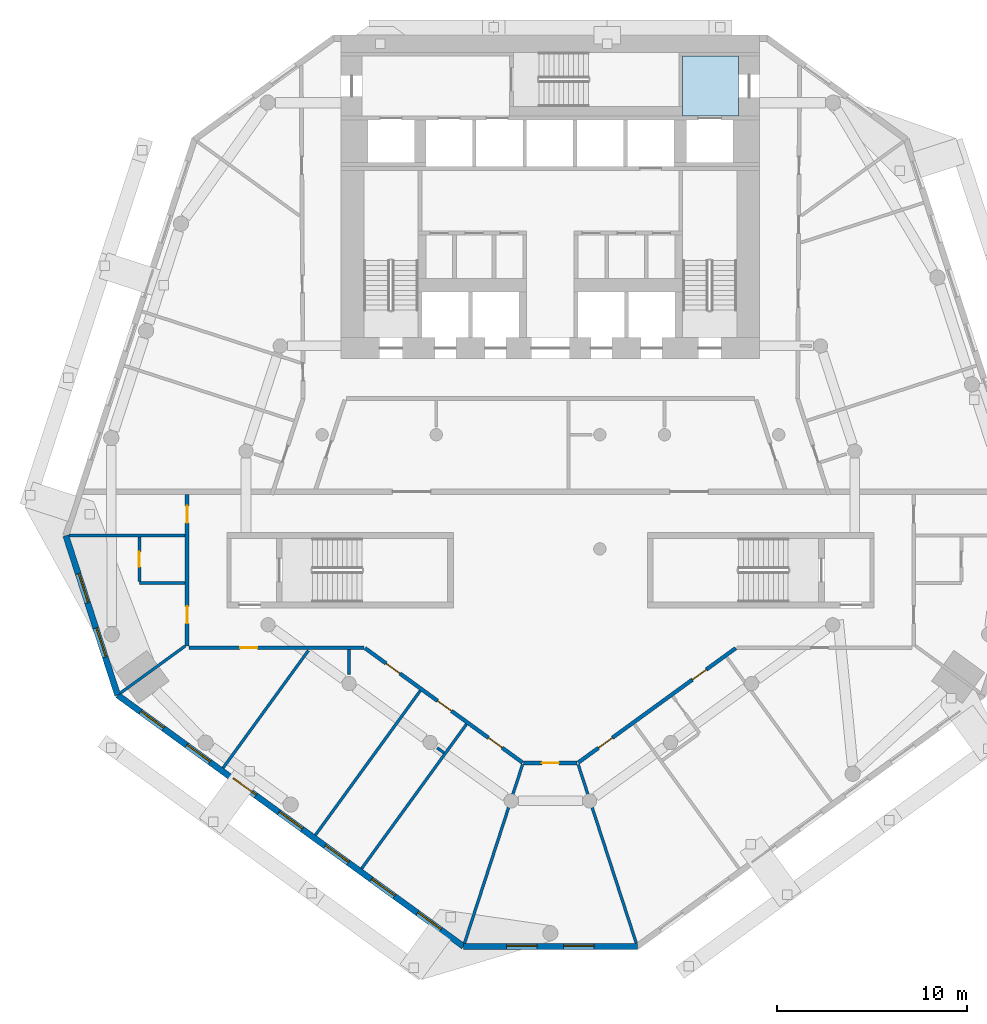
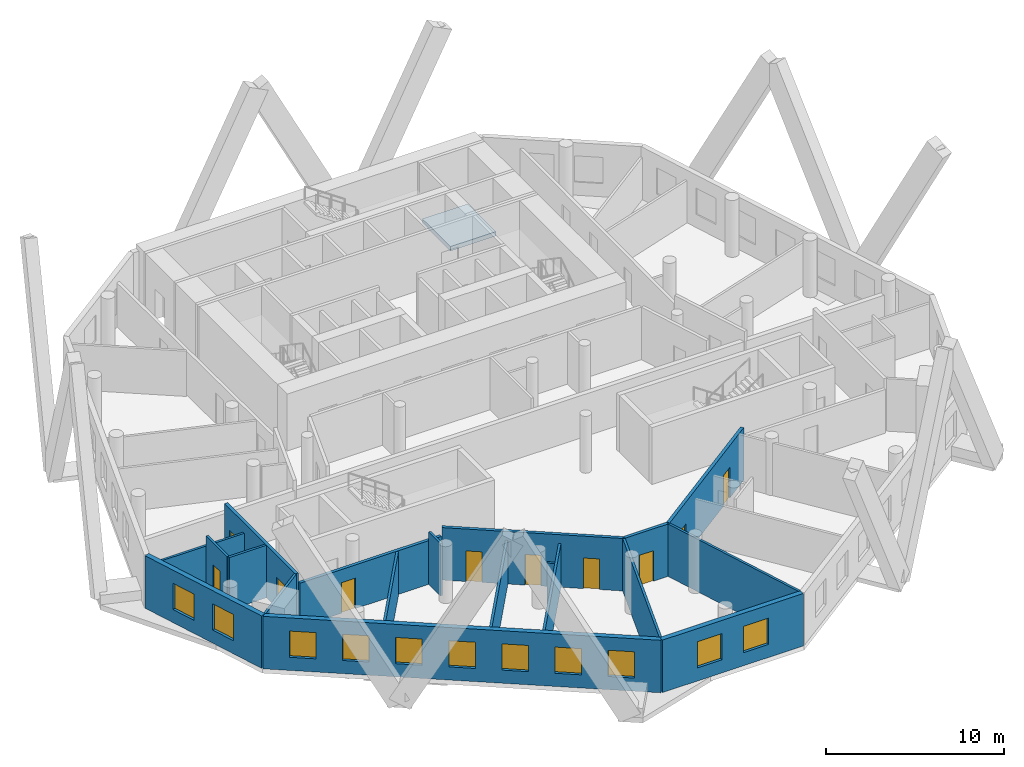
# One storey, part 3 of 10: 19 walls, 11 windows, 10 doors, 1 slab, 21 openings.
"""IFC4 building model written with IfcOpenShell, lengths in metres."""

from ifc_helpers import new_model, si_unit, direction, frame, frame_2d, origin, place, context, subcontext, project, spatial, polyline, rectangle, outline, extrude, material, layer, layer_set, type_object, element, fill, save


model = new_model("IFC4")

# Units and contexts
model_context = context("Model", 3, precision=1e-05, world=origin(), true_north=direction((0.0, 1.0)))
body_context = subcontext(model_context, "Body", "Model", "MODEL_VIEW")
ifc_project = project(units=[si_unit("LENGTHUNIT", "METRE"), si_unit("AREAUNIT", "SQUARE_METRE"), si_unit("VOLUMEUNIT", "CUBIC_METRE"), si_unit("PLANEANGLEUNIT", "RADIAN"), si_unit("MASSUNIT", "GRAM", prefix="KILO")], contexts=[model_context])

# Site, building, storey
site_placement = place(None, origin())
site = spatial("IfcSite", under=ifc_project, at=site_placement, CompositionType="ELEMENT")
building_placement = place(site_placement, origin())
building = spatial("IfcBuilding", under=site, at=building_placement, Name="White Candle Pilgrim Tower", CompositionType="ELEMENT")
storey_placement = place(building_placement, frame((0.0, 0.0, 125.89990234375)))
storey = spatial("IfcBuildingStorey", under=building, at=storey_placement, Name="L28", CompositionType="ELEMENT", Elevation=125.89990234375)

# Slab
ifc_material_1 = material(Name="Concrete C40/50", Category="concrete")
ifc_layer_1 = layer(ifc_material_1, 0.300048828125)
ifc_layer_set_1 = layer_set([ifc_layer_1], Name="Core floor slab 300 mm Concrete C40/50")
slab_type = type_object("IfcSlabType", Name="Core floor slab 300 mm Concrete C40/50", PredefinedType="FLOOR", material=ifc_layer_set_1)
slab_placement = place(storey_placement, frame((0.0, 0.0, -0.2998046875)))
element("IfcSlab", 1, at=slab_placement, inside=storey, type_object=slab_type, Name="CF-L28-06", PredefinedType="FLOOR", context=body_context, shape_type="SweptSolid", body=[
    extrude(outline(polyline([(79.89990234375, 86.89990234375), (79.89990234375, 83.75), (76.949951171875, 83.75), (76.949951171875, 84.25), (76.949951171875, 86.89990234375), (79.89990234375, 86.89990234375)])), origin(), (0.0, 0.0, 1.0), 0.2998046875),
])

# Wall, openings, doors
ifc_material_2 = material(Name="Gypsum board on steel studs", Category="steel")
ifc_layer_2 = layer(ifc_material_2, 0.199951171875)
ifc_layer_set_2 = layer_set([ifc_layer_2], Name="Corridor wall 200 mm EI 45")
wall_type_1 = type_object("IfcWallType", Name="Corridor wall 200 mm EI 45", PredefinedType="PARTITIONING", material=ifc_layer_set_2)
wall_1_placement = place(storey_placement, frame((79.7412109375, 55.781005859375, 0.0), z_axis=(0.0, 0.0, 1.0), x_axis=(-0.809014540142, -0.587788630239, 0.0)))
wall_1 = element("IfcWall", 2, at=wall_1_placement, inside=storey, type_object=wall_type_1, Name="WL-L28-P008", PredefinedType="PARTITIONING", context=body_context, shape_type="SweptSolid", body=[
    extrude(rectangle(XDim=10.2333984375, YDim=0.199951171875, at=frame_2d((5.11669921875, 0.0))), origin(), (0.0, 0.0, 1.0), 3.60009765625),
])
opening_1_placement = place(wall_1_placement, frame((8.014404296875, 0.0, 0.0)))
opening_1 = element("IfcOpeningElement", 3, at=opening_1_placement, cuts=wall_1, Name="Opening T09-108", PredefinedType="OPENING", context=body_context, shape_type="SweptSolid", body=[
    extrude(rectangle(XDim=0.89990234375, YDim=2.10009765625, at=frame_2d((0.449951171875, 1.050048828125))), frame((0.0, 0.10986328125, 0.0), z_axis=(0.0, -1.0, 0.0), x_axis=(1.0, 0.0, 0.0)), (0.0, 0.0, 1.0), 0.219970703125),
])
opening_2_placement = place(wall_1_placement, frame((1.91259765625, 0.0, 0.0)))
opening_2 = element("IfcOpeningElement", 4, at=opening_2_placement, cuts=wall_1, Name="Opening T09-110", PredefinedType="OPENING", context=body_context, shape_type="SweptSolid", body=[
    extrude(rectangle(XDim=0.89990234375, YDim=2.10009765625, at=frame_2d((0.449951171875, 1.050048828125))), frame((0.0, 0.10986328125, 0.0), z_axis=(0.0, -1.0, 0.0), x_axis=(1.0, 0.0, 0.0)), (0.0, 0.0, 1.0), 0.219970703125),
])
ifc_material_3 = material(Name="Steel door leaf", Category="steel")
door_type_1 = type_object("IfcDoorType", Name="Fire door 900 x 2100 EI 30", OperationType="NOTDEFINED", PredefinedType="DOOR", material=ifc_material_3)
door_1_placement = place(opening_1_placement, origin())
door_1 = element("IfcDoor", 5, at=door_1_placement, inside=storey, type_object=door_type_1, Name="Door T09-108", OperationType="SINGLE_SWING_RIGHT", OverallHeight=2.10009765625, OverallWidth=0.89990234375, PredefinedType="DOOR", context=body_context, shape_type="SweptSolid", body=[
    extrude(rectangle(XDim=0.89990234375, YDim=2.10009765625, at=frame_2d((0.449951171875, 1.050048828125))), frame((0.0, 0.02490234375, 0.0), z_axis=(0.0, -1.0, 0.0), x_axis=(1.0, 0.0, 0.0)), (0.0, 0.0, 1.0), 0.050048828125),
])
fill(opening_1, door_1)
door_2_placement = place(opening_2_placement, origin())
door_2 = element("IfcDoor", 6, at=door_2_placement, inside=storey, type_object=door_type_1, Name="Door T09-110", OperationType="SINGLE_SWING_RIGHT", OverallHeight=2.10009765625, OverallWidth=0.89990234375, PredefinedType="DOOR", context=body_context, shape_type="SweptSolid", body=[
    extrude(rectangle(XDim=0.89990234375, YDim=2.10009765625, at=frame_2d((0.449951171875, 1.050048828125))), frame((0.0, 0.02490234375, 0.0), z_axis=(0.0, -1.0, 0.0), x_axis=(1.0, 0.0, 0.0)), (0.0, 0.0, 1.0), 0.050048828125),
])
fill(opening_2, door_2)

# Wall, opening, door
wall_2_placement = place(storey_placement, frame((71.4033203125, 49.74658203125, 0.0), z_axis=(0.0, 0.0, 1.0), x_axis=(-1.0, 0.0, 0.0)))
wall_2 = element("IfcWall", 7, at=wall_2_placement, inside=storey, type_object=wall_type_1, Name="WL-L28-P009", PredefinedType="PARTITIONING", context=body_context, shape_type="SweptSolid", body=[
    extrude(rectangle(XDim=2.806640625, YDim=0.199951171875, at=frame_2d((1.4033203125, 0.0))), origin(), (0.0, 0.0, 1.0), 3.60009765625),
])
opening_3_placement = place(wall_2_placement, frame((0.953369140625, 0.0, 0.0)))
opening_3 = element("IfcOpeningElement", 8, at=opening_3_placement, cuts=wall_2, Name="Opening T09-107", PredefinedType="OPENING", context=body_context, shape_type="SweptSolid", body=[
    extrude(rectangle(XDim=0.89990234375, YDim=2.10009765625, at=frame_2d((0.449951171875, 1.050048828125))), frame((0.0, 0.10986328125, 0.0), z_axis=(0.0, -1.0, 0.0), x_axis=(1.0, 0.0, 0.0)), (0.0, 0.0, 1.0), 0.219970703125),
])
door_3_placement = place(opening_3_placement, origin())
door_3 = element("IfcDoor", 9, at=door_3_placement, inside=storey, type_object=door_type_1, Name="Door T09-107", OperationType="SINGLE_SWING_LEFT", OverallHeight=2.10009765625, OverallWidth=0.89990234375, PredefinedType="DOOR", context=body_context, shape_type="SweptSolid", body=[
    extrude(rectangle(XDim=0.89990234375, YDim=2.10009765625, at=frame_2d((0.449951171875, 1.050048828125))), frame((0.0, 0.02490234375, 0.0), z_axis=(0.0, -1.0, 0.0), x_axis=(1.0, 0.0, 0.0)), (0.0, 0.0, 1.0), 0.050048828125),
])
fill(opening_3, door_3)

# Wall, openings, doors
wall_3_placement = place(storey_placement, frame((68.537841796875, 49.765869140625, 0.0), z_axis=(0.0, 0.0, 1.0), x_axis=(-0.809014540142, 0.587788630239, 0.0)))
wall_3 = element("IfcWall", 10, at=wall_3_placement, inside=storey, type_object=wall_type_1, Name="WL-L28-P010", PredefinedType="PARTITIONING", context=body_context, shape_type="SweptSolid", body=[
    extrude(rectangle(XDim=10.2333984375, YDim=0.199951171875, at=frame_2d((5.11669921875, 0.0))), origin(), (0.0, 0.0, 1.0), 3.60009765625),
])
opening_4_placement = place(wall_3_placement, frame((7.968505859375, 0.0, 0.0)))
opening_4 = element("IfcOpeningElement", 11, at=opening_4_placement, cuts=wall_3, Name="Opening T09-104", PredefinedType="OPENING", context=body_context, shape_type="SweptSolid", body=[
    extrude(rectangle(XDim=0.89990234375, YDim=2.10009765625, at=frame_2d((0.449951171875, 1.050048828125))), frame((0.0, 0.10986328125, 0.0), z_axis=(0.0, -1.0, 0.0), x_axis=(1.0, 0.0, 0.0)), (0.0, 0.0, 1.0), 0.219970703125),
])
opening_5_placement = place(wall_3_placement, frame((4.620849609375, 0.0, 0.0)))
opening_5 = element("IfcOpeningElement", 12, at=opening_5_placement, cuts=wall_3, Name="Opening T09-105", PredefinedType="OPENING", context=body_context, shape_type="SweptSolid", body=[
    extrude(rectangle(XDim=0.89990234375, YDim=2.10009765625, at=frame_2d((0.449951171875, 1.050048828125))), frame((0.0, 0.10986328125, 0.0), z_axis=(0.0, -1.0, 0.0), x_axis=(1.0, 0.0, 0.0)), (0.0, 0.0, 1.0), 0.219970703125),
])
opening_6_placement = place(wall_3_placement, frame((1.319091796875, 0.0, 0.0)))
opening_6 = element("IfcOpeningElement", 13, at=opening_6_placement, cuts=wall_3, Name="Opening T09-106", PredefinedType="OPENING", context=body_context, shape_type="SweptSolid", body=[
    extrude(rectangle(XDim=0.89990234375, YDim=2.10009765625, at=frame_2d((0.449951171875, 1.050048828125))), frame((0.0, 0.10986328125, 0.0), z_axis=(0.0, -1.0, 0.0), x_axis=(1.0, 0.0, 0.0)), (0.0, 0.0, 1.0), 0.219970703125),
])
door_4_placement = place(opening_4_placement, origin())
door_4 = element("IfcDoor", 14, at=door_4_placement, inside=storey, type_object=door_type_1, Name="Door T09-104", OperationType="SINGLE_SWING_RIGHT", OverallHeight=2.10009765625, OverallWidth=0.89990234375, PredefinedType="DOOR", context=body_context, shape_type="SweptSolid", body=[
    extrude(rectangle(XDim=0.89990234375, YDim=2.10009765625, at=frame_2d((0.449951171875, 1.050048828125))), frame((0.0, 0.02490234375, 0.0), z_axis=(0.0, -1.0, 0.0), x_axis=(1.0, 0.0, 0.0)), (0.0, 0.0, 1.0), 0.050048828125),
])
fill(opening_4, door_4)
door_5_placement = place(opening_5_placement, origin())
door_5 = element("IfcDoor", 15, at=door_5_placement, inside=storey, type_object=door_type_1, Name="Door T09-105", OperationType="SINGLE_SWING_LEFT", OverallHeight=2.10009765625, OverallWidth=0.89990234375, PredefinedType="DOOR", context=body_context, shape_type="SweptSolid", body=[
    extrude(rectangle(XDim=0.89990234375, YDim=2.10009765625, at=frame_2d((0.449951171875, 1.050048828125))), frame((0.0, 0.02490234375, 0.0), z_axis=(0.0, -1.0, 0.0), x_axis=(1.0, 0.0, 0.0)), (0.0, 0.0, 1.0), 0.050048828125),
])
fill(opening_5, door_5)
door_6_placement = place(opening_6_placement, origin())
door_6 = element("IfcDoor", 16, at=door_6_placement, inside=storey, type_object=door_type_1, Name="Door T09-106", OperationType="SINGLE_SWING_RIGHT", OverallHeight=2.10009765625, OverallWidth=0.89990234375, PredefinedType="DOOR", context=body_context, shape_type="SweptSolid", body=[
    extrude(rectangle(XDim=0.89990234375, YDim=2.10009765625, at=frame_2d((0.449951171875, 1.050048828125))), frame((0.0, 0.02490234375, 0.0), z_axis=(0.0, -1.0, 0.0), x_axis=(1.0, 0.0, 0.0)), (0.0, 0.0, 1.0), 0.050048828125),
])
fill(opening_6, door_6)

# Wall, opening, door
wall_4_placement = place(storey_placement, frame((60.2001953125, 55.800048828125, 0.0), z_axis=(0.0, 0.0, 1.0), x_axis=(-1.0, 0.0, 0.0)))
wall_4 = element("IfcWall", 17, at=wall_4_placement, inside=storey, type_object=wall_type_1, Name="WL-L28-P011", PredefinedType="PARTITIONING", context=body_context, shape_type="SweptSolid", body=[
    extrude(rectangle(XDim=9.2001953125, YDim=0.199951171875, at=frame_2d((4.60009765625, 0.0))), origin(), (0.0, 0.0, 1.0), 3.0),
])
opening_7_placement = place(wall_4_placement, frame((5.6083984375, 0.0, 0.0)))
opening_7 = element("IfcOpeningElement", 18, at=opening_7_placement, cuts=wall_4, Name="Opening T09-103", PredefinedType="OPENING", context=body_context, shape_type="SweptSolid", body=[
    extrude(rectangle(XDim=0.89990234375, YDim=2.10009765625, at=frame_2d((0.449951171875, 1.050048828125))), frame((0.0, 0.10986328125, 0.0), z_axis=(0.0, -1.0, 0.0), x_axis=(1.0, 0.0, 0.0)), (0.0, 0.0, 1.0), 0.219970703125),
])
door_7_placement = place(opening_7_placement, origin())
door_7 = element("IfcDoor", 19, at=door_7_placement, inside=storey, type_object=door_type_1, Name="Door T09-103", OperationType="SINGLE_SWING_LEFT", OverallHeight=2.10009765625, OverallWidth=0.89990234375, PredefinedType="DOOR", context=body_context, shape_type="SweptSolid", body=[
    extrude(rectangle(XDim=0.89990234375, YDim=2.10009765625, at=frame_2d((0.449951171875, 1.050048828125))), frame((0.0, 0.02490234375, 0.0), z_axis=(0.0, -1.0, 0.0), x_axis=(1.0, 0.0, 0.0)), (0.0, 0.0, 1.0), 0.050048828125),
])
fill(opening_7, door_7)

# Wall, openings, doors
wall_5_placement = place(storey_placement, frame((50.89990234375, 55.89990234375, 0.0), z_axis=(0.0, 0.0, 1.0), x_axis=(0.0, 1.0, 0.0)))
wall_5 = element("IfcWall", 20, at=wall_5_placement, inside=storey, type_object=wall_type_1, Name="WL-L28-P012", PredefinedType="PARTITIONING", context=body_context, shape_type="SweptSolid", body=[
    extrude(rectangle(XDim=7.9501953125, YDim=0.199951171875, at=frame_2d((3.97509765625, 0.0))), origin(), (0.0, 0.0, 1.0), 3.60009765625),
])
opening_8_placement = place(wall_5_placement, frame((1.18212890625, 0.0, 0.0)))
opening_8 = element("IfcOpeningElement", 21, at=opening_8_placement, cuts=wall_5, Name="Opening T09-102", PredefinedType="OPENING", context=body_context, shape_type="SweptSolid", body=[
    extrude(rectangle(XDim=0.89990234375, YDim=2.10009765625, at=frame_2d((0.449951171875, 1.050048828125))), frame((0.0, 0.10986328125, 0.0), z_axis=(0.0, -1.0, 0.0), x_axis=(1.0, 0.0, 0.0)), (0.0, 0.0, 1.0), 0.219970703125),
])
opening_9_placement = place(wall_5_placement, frame((6.462158203125, 0.0, 0.0)))
opening_9 = element("IfcOpeningElement", 22, at=opening_9_placement, cuts=wall_5, Name="Opening T09-116", PredefinedType="OPENING", context=body_context, shape_type="SweptSolid", body=[
    extrude(rectangle(XDim=0.89990234375, YDim=2.10009765625, at=frame_2d((0.449951171875, 1.050048828125))), frame((0.0, 0.10986328125, 0.0), z_axis=(0.0, -1.0, 0.0), x_axis=(1.0, 0.0, 0.0)), (0.0, 0.0, 1.0), 0.219970703125),
])
door_8_placement = place(opening_8_placement, origin())
door_8 = element("IfcDoor", 23, at=door_8_placement, inside=storey, type_object=door_type_1, Name="Door T09-102", OperationType="SINGLE_SWING_RIGHT", OverallHeight=2.10009765625, OverallWidth=0.89990234375, PredefinedType="DOOR", context=body_context, shape_type="SweptSolid", body=[
    extrude(rectangle(XDim=0.89990234375, YDim=2.10009765625, at=frame_2d((0.449951171875, 1.050048828125))), frame((0.0, 0.02490234375, 0.0), z_axis=(0.0, -1.0, 0.0), x_axis=(1.0, 0.0, 0.0)), (0.0, 0.0, 1.0), 0.050048828125),
])
fill(opening_8, door_8)
door_9_placement = place(opening_9_placement, origin())
door_9 = element("IfcDoor", 24, at=door_9_placement, inside=storey, type_object=door_type_1, Name="Door T09-116", OperationType="SINGLE_SWING_RIGHT", OverallHeight=2.10009765625, OverallWidth=0.89990234375, PredefinedType="DOOR", context=body_context, shape_type="SweptSolid", body=[
    extrude(rectangle(XDim=0.89990234375, YDim=2.10009765625, at=frame_2d((0.449951171875, 1.050048828125))), frame((0.0, 0.02490234375, 0.0), z_axis=(0.0, -1.0, 0.0), x_axis=(1.0, 0.0, 0.0)), (0.0, 0.0, 1.0), 0.050048828125),
])
fill(opening_9, door_9)

# Wall, openings, windows
ifc_material_4 = material(Name="Precast concrete C40/50", Category="concrete")
ifc_layer_3 = layer(ifc_material_4, 0.320068359375)
ifc_layer_set_3 = layer_set([ifc_layer_3], Name="Facade wall EW1 precast concrete C40/50 pier wall with timber-lined reveals")
wall_type_2 = type_object("IfcWallType", Name="Facade wall EW1 precast concrete C40/50 pier wall with timber-lined reveals", PredefinedType="SOLIDWALL", material=ifc_layer_set_3)
wall_6_placement = place(storey_placement, frame((44.5283203125, 61.69921875, 0.0), z_axis=(0.0, 0.0, 1.0), x_axis=(0.309007169839, -0.951059708424, 0.0)))
wall_6 = element("IfcWall", 25, at=wall_6_placement, inside=storey, type_object=wall_type_2, Name="Facade wall L28 W chamfer", PredefinedType="SOLIDWALL", context=body_context, shape_type="SweptSolid", body=[
    extrude(rectangle(XDim=8.815673828125, YDim=0.320068359375, at=frame_2d((4.40771484375, 0.0))), origin(), (0.0, 0.0, 1.0), 3.60009765625),
])
opening_10_placement = place(wall_6_placement, frame((2.10791015625, 0.0, 0.89990234375)))
opening_10 = element("IfcOpeningElement", 26, at=opening_10_placement, cuts=wall_6, Name="Opening W2", PredefinedType="OPENING", context=body_context, shape_type="SweptSolid", body=[
    extrude(rectangle(XDim=1.60009765625, YDim=1.800048828125, at=frame_2d((0.800048828125, 0.89990234375))), frame((0.0, 0.169921875, 0.0), z_axis=(0.0, -1.0, 0.0), x_axis=(1.0, 0.0, 0.0)), (0.0, 0.0, 1.0), 0.340087890625),
])
opening_11_placement = place(wall_6_placement, frame((5.10791015625, 0.0, 0.89990234375)))
opening_11 = element("IfcOpeningElement", 27, at=opening_11_placement, cuts=wall_6, Name="Opening W2", PredefinedType="OPENING", context=body_context, shape_type="SweptSolid", body=[
    extrude(rectangle(XDim=1.60009765625, YDim=1.800048828125, at=frame_2d((0.800048828125, 0.89990234375))), frame((0.0, 0.169921875, 0.0), z_axis=(0.0, -1.0, 0.0), x_axis=(1.0, 0.0, 0.0)), (0.0, 0.0, 1.0), 0.340087890625),
])
ifc_material_5 = material(Name="Timber frame with triple glazing", Category="wood")
window_type_1 = type_object("IfcWindowType", Name="Window W2 1600x1800 timber frame triple glazing", PartitioningType="SINGLE_PANEL", PredefinedType="WINDOW", material=ifc_material_5)
window_1_placement = place(opening_10_placement, origin())
window_1 = element("IfcWindow", 28, at=window_1_placement, inside=storey, type_object=window_type_1, Name="Window W2 L28 W chamfer 1", OverallHeight=1.800048828125, OverallWidth=1.60009765625, PartitioningType="SINGLE_PANEL", PredefinedType="WINDOW", context=body_context, shape_type="SweptSolid", body=[
    extrude(rectangle(XDim=1.60009765625, YDim=1.800048828125, at=frame_2d((0.800048828125, 0.89990234375))), frame((0.0, 0.070068359375, 0.0), z_axis=(0.0, -1.0, 0.0), x_axis=(1.0, 0.0, 0.0)), (0.0, 0.0, 1.0), 0.06005859375),
])
fill(opening_10, window_1)
window_2_placement = place(opening_11_placement, origin())
window_2 = element("IfcWindow", 29, at=window_2_placement, inside=storey, type_object=window_type_1, Name="Window W2 L28 W chamfer 2", OverallHeight=1.800048828125, OverallWidth=1.60009765625, PartitioningType="SINGLE_PANEL", PredefinedType="WINDOW", context=body_context, shape_type="SweptSolid", body=[
    extrude(rectangle(XDim=1.60009765625, YDim=1.800048828125, at=frame_2d((0.800048828125, 0.89990234375))), frame((0.0, 0.070068359375, 0.0), z_axis=(0.0, -1.0, 0.0), x_axis=(1.0, 0.0, 0.0)), (0.0, 0.0, 1.0), 0.06005859375),
])
fill(opening_11, window_2)

wall_7_placement = place(storey_placement, frame((47.25244140625, 53.31494140625, 0.0), z_axis=(0.0, 0.0, 1.0), x_axis=(0.809018352132, -0.587783383496, 0.0)))
wall_7 = element("IfcWall", 30, at=wall_7_placement, inside=storey, type_object=wall_type_2, Name="Facade wall L28 SW", PredefinedType="SOLIDWALL", context=body_context, shape_type="SweptSolid", body=[
    extrude(rectangle(XDim=22.47119140625, YDim=0.320068359375, at=frame_2d((11.235595703125, 0.0))), origin(), (0.0, 0.0, 1.0), 3.60009765625),
])
opening_12_placement = place(wall_7_placement, frame((1.485595703125, 0.0, 0.89990234375)))
opening_12 = element("IfcOpeningElement", 31, at=opening_12_placement, cuts=wall_7, Name="Opening W1", PredefinedType="OPENING", context=body_context, shape_type="SweptSolid", body=[
    extrude(rectangle(XDim=1.5, YDim=1.800048828125, at=frame_2d((0.75, 0.89990234375))), frame((0.0, 0.169921875, 0.0), z_axis=(0.0, -1.0, 0.0), x_axis=(1.0, 0.0, 0.0)), (0.0, 0.0, 1.0), 0.340087890625),
])
opening_13_placement = place(wall_7_placement, frame((4.485595703125, 0.0, 0.89990234375)))
opening_13 = element("IfcOpeningElement", 32, at=opening_13_placement, cuts=wall_7, Name="Opening W1", PredefinedType="OPENING", context=body_context, shape_type="SweptSolid", body=[
    extrude(rectangle(XDim=1.5, YDim=1.800048828125, at=frame_2d((0.75, 0.89990234375))), frame((0.0, 0.169921875, 0.0), z_axis=(0.0, -1.0, 0.0), x_axis=(1.0, 0.0, 0.0)), (0.0, 0.0, 1.0), 0.340087890625),
])
opening_14_placement = place(wall_7_placement, frame((7.485595703125, 0.0, 0.89990234375)))
opening_14 = element("IfcOpeningElement", 33, at=opening_14_placement, cuts=wall_7, Name="Opening W1", PredefinedType="OPENING", context=body_context, shape_type="SweptSolid", body=[
    extrude(rectangle(XDim=1.5, YDim=1.800048828125, at=frame_2d((0.75, 0.89990234375))), frame((0.0, 0.169921875, 0.0), z_axis=(0.0, -1.0, 0.0), x_axis=(1.0, 0.0, 0.0)), (0.0, 0.0, 1.0), 0.340087890625),
])
opening_15_placement = place(wall_7_placement, frame((10.485595703125, 0.0, 0.89990234375)))
opening_15 = element("IfcOpeningElement", 34, at=opening_15_placement, cuts=wall_7, Name="Opening W1", PredefinedType="OPENING", context=body_context, shape_type="SweptSolid", body=[
    extrude(rectangle(XDim=1.5, YDim=1.800048828125, at=frame_2d((0.75, 0.89990234375))), frame((0.0, 0.169921875, 0.0), z_axis=(0.0, -1.0, 0.0), x_axis=(1.0, 0.0, 0.0)), (0.0, 0.0, 1.0), 0.340087890625),
])
opening_16_placement = place(wall_7_placement, frame((13.485595703125, 0.0, 0.89990234375)))
opening_16 = element("IfcOpeningElement", 35, at=opening_16_placement, cuts=wall_7, Name="Opening W1", PredefinedType="OPENING", context=body_context, shape_type="SweptSolid", body=[
    extrude(rectangle(XDim=1.5, YDim=1.800048828125, at=frame_2d((0.75, 0.89990234375))), frame((0.0, 0.169921875, 0.0), z_axis=(0.0, -1.0, 0.0), x_axis=(1.0, 0.0, 0.0)), (0.0, 0.0, 1.0), 0.340087890625),
])
opening_17_placement = place(wall_7_placement, frame((16.485595703125, 0.0, 0.89990234375)))
opening_17 = element("IfcOpeningElement", 36, at=opening_17_placement, cuts=wall_7, Name="Opening W1", PredefinedType="OPENING", context=body_context, shape_type="SweptSolid", body=[
    extrude(rectangle(XDim=1.5, YDim=1.800048828125, at=frame_2d((0.75, 0.89990234375))), frame((0.0, 0.169921875, 0.0), z_axis=(0.0, -1.0, 0.0), x_axis=(1.0, 0.0, 0.0)), (0.0, 0.0, 1.0), 0.340087890625),
])
opening_18_placement = place(wall_7_placement, frame((19.485595703125, 0.0, 0.89990234375)))
opening_18 = element("IfcOpeningElement", 37, at=opening_18_placement, cuts=wall_7, Name="Opening W1", PredefinedType="OPENING", context=body_context, shape_type="SweptSolid", body=[
    extrude(rectangle(XDim=1.5, YDim=1.800048828125, at=frame_2d((0.75, 0.89990234375))), frame((0.0, 0.169921875, 0.0), z_axis=(0.0, -1.0, 0.0), x_axis=(1.0, 0.0, 0.0)), (0.0, 0.0, 1.0), 0.340087890625),
])
window_type_2 = type_object("IfcWindowType", Name="Window W1 1500x1800 timber frame triple glazing", PartitioningType="SINGLE_PANEL", PredefinedType="WINDOW", material=ifc_material_5)
window_3_placement = place(opening_12_placement, origin())
window_3 = element("IfcWindow", 38, at=window_3_placement, inside=storey, type_object=window_type_2, Name="Window W1 L28 SW 1", OverallHeight=1.800048828125, OverallWidth=1.5, PartitioningType="SINGLE_PANEL", PredefinedType="WINDOW", context=body_context, shape_type="SweptSolid", body=[
    extrude(rectangle(XDim=1.5, YDim=1.800048828125, at=frame_2d((0.75, 0.89990234375))), frame((0.0, 0.070068359375, 0.0), z_axis=(0.0, -1.0, 0.0), x_axis=(1.0, 0.0, 0.0)), (0.0, 0.0, 1.0), 0.06005859375),
])
fill(opening_12, window_3)
window_4_placement = place(opening_13_placement, origin())
window_4 = element("IfcWindow", 39, at=window_4_placement, inside=storey, type_object=window_type_2, Name="Window W1 L28 SW 2", OverallHeight=1.800048828125, OverallWidth=1.5, PartitioningType="SINGLE_PANEL", PredefinedType="WINDOW", context=body_context, shape_type="SweptSolid", body=[
    extrude(rectangle(XDim=1.5, YDim=1.800048828125, at=frame_2d((0.75, 0.89990234375))), frame((0.0, 0.070068359375, 0.0), z_axis=(0.0, -1.0, 0.0), x_axis=(1.0, 0.0, 0.0)), (0.0, 0.0, 1.0), 0.06005859375),
])
fill(opening_13, window_4)
window_5_placement = place(opening_14_placement, origin())
window_5 = element("IfcWindow", 40, at=window_5_placement, inside=storey, type_object=window_type_2, Name="Window W1 L28 SW 3", OverallHeight=1.800048828125, OverallWidth=1.5, PartitioningType="SINGLE_PANEL", PredefinedType="WINDOW", context=body_context, shape_type="SweptSolid", body=[
    extrude(rectangle(XDim=1.5, YDim=1.800048828125, at=frame_2d((0.75, 0.89990234375))), frame((0.0, 0.070068359375, 0.0), z_axis=(0.0, -1.0, 0.0), x_axis=(1.0, 0.0, 0.0)), (0.0, 0.0, 1.0), 0.06005859375),
])
fill(opening_14, window_5)
window_6_placement = place(opening_15_placement, origin())
window_6 = element("IfcWindow", 41, at=window_6_placement, inside=storey, type_object=window_type_2, Name="Window W1 L28 SW 4", OverallHeight=1.800048828125, OverallWidth=1.5, PartitioningType="SINGLE_PANEL", PredefinedType="WINDOW", context=body_context, shape_type="SweptSolid", body=[
    extrude(rectangle(XDim=1.5, YDim=1.800048828125, at=frame_2d((0.75, 0.89990234375))), frame((0.0, 0.070068359375, 0.0), z_axis=(0.0, -1.0, 0.0), x_axis=(1.0, 0.0, 0.0)), (0.0, 0.0, 1.0), 0.06005859375),
])
fill(opening_15, window_6)
window_7_placement = place(opening_16_placement, origin())
window_7 = element("IfcWindow", 42, at=window_7_placement, inside=storey, type_object=window_type_2, Name="Window W1 L28 SW 5", OverallHeight=1.800048828125, OverallWidth=1.5, PartitioningType="SINGLE_PANEL", PredefinedType="WINDOW", context=body_context, shape_type="SweptSolid", body=[
    extrude(rectangle(XDim=1.5, YDim=1.800048828125, at=frame_2d((0.75, 0.89990234375))), frame((0.0, 0.070068359375, 0.0), z_axis=(0.0, -1.0, 0.0), x_axis=(1.0, 0.0, 0.0)), (0.0, 0.0, 1.0), 0.06005859375),
])
fill(opening_16, window_7)
window_8_placement = place(opening_17_placement, origin())
window_8 = element("IfcWindow", 43, at=window_8_placement, inside=storey, type_object=window_type_2, Name="Window W1 L28 SW 6", OverallHeight=1.800048828125, OverallWidth=1.5, PartitioningType="SINGLE_PANEL", PredefinedType="WINDOW", context=body_context, shape_type="SweptSolid", body=[
    extrude(rectangle(XDim=1.5, YDim=1.800048828125, at=frame_2d((0.75, 0.89990234375))), frame((0.0, 0.070068359375, 0.0), z_axis=(0.0, -1.0, 0.0), x_axis=(1.0, 0.0, 0.0)), (0.0, 0.0, 1.0), 0.06005859375),
])
fill(opening_17, window_8)
window_9_placement = place(opening_18_placement, origin())
window_9 = element("IfcWindow", 44, at=window_9_placement, inside=storey, type_object=window_type_2, Name="Window W1 L28 SW 7", OverallHeight=1.800048828125, OverallWidth=1.5, PartitioningType="SINGLE_PANEL", PredefinedType="WINDOW", context=body_context, shape_type="SweptSolid", body=[
    extrude(rectangle(XDim=1.5, YDim=1.800048828125, at=frame_2d((0.75, 0.89990234375))), frame((0.0, 0.070068359375, 0.0), z_axis=(0.0, -1.0, 0.0), x_axis=(1.0, 0.0, 0.0)), (0.0, 0.0, 1.0), 0.06005859375),
])
fill(opening_18, window_9)

wall_8_placement = place(storey_placement, frame((65.43212890625, 40.106689453125, 0.0), z_axis=(0.0, 0.0, 1.0), x_axis=(1.0, 0.0, 0.0)))
wall_8 = element("IfcWall", 45, at=wall_8_placement, inside=storey, type_object=wall_type_2, Name="Facade wall L28 S chamfer", PredefinedType="SOLIDWALL", context=body_context, shape_type="SweptSolid", body=[
    extrude(rectangle(XDim=9.1357421875, YDim=0.320068359375, at=frame_2d((4.56787109375, 0.0))), origin(), (0.0, 0.0, 1.0), 3.60009765625),
])
opening_19_placement = place(wall_8_placement, frame((2.26806640625, 0.0, 0.89990234375)))
opening_19 = element("IfcOpeningElement", 46, at=opening_19_placement, cuts=wall_8, Name="Opening W2", PredefinedType="OPENING", context=body_context, shape_type="SweptSolid", body=[
    extrude(rectangle(XDim=1.60009765625, YDim=1.800048828125, at=frame_2d((0.800048828125, 0.89990234375))), frame((0.0, 0.169921875, 0.0), z_axis=(0.0, -1.0, 0.0), x_axis=(1.0, 0.0, 0.0)), (0.0, 0.0, 1.0), 0.340087890625),
])
opening_20_placement = place(wall_8_placement, frame((5.26806640625, 0.0, 0.89990234375)))
opening_20 = element("IfcOpeningElement", 47, at=opening_20_placement, cuts=wall_8, Name="Opening W2", PredefinedType="OPENING", context=body_context, shape_type="SweptSolid", body=[
    extrude(rectangle(XDim=1.60009765625, YDim=1.800048828125, at=frame_2d((0.800048828125, 0.89990234375))), frame((0.0, 0.169921875, 0.0), z_axis=(0.0, -1.0, 0.0), x_axis=(1.0, 0.0, 0.0)), (0.0, 0.0, 1.0), 0.340087890625),
])
window_10_placement = place(opening_19_placement, origin())
window_10 = element("IfcWindow", 48, at=window_10_placement, inside=storey, type_object=window_type_1, Name="Window W2 L28 S chamfer 1", OverallHeight=1.800048828125, OverallWidth=1.60009765625, PartitioningType="SINGLE_PANEL", PredefinedType="WINDOW", context=body_context, shape_type="SweptSolid", body=[
    extrude(rectangle(XDim=1.60009765625, YDim=1.800048828125, at=frame_2d((0.800048828125, 0.89990234375))), frame((0.0, 0.070068359375, 0.0), z_axis=(0.0, -1.0, 0.0), x_axis=(1.0, 0.0, 0.0)), (0.0, 0.0, 1.0), 0.06005859375),
])
fill(opening_19, window_10)
window_11_placement = place(opening_20_placement, origin())
window_11 = element("IfcWindow", 49, at=window_11_placement, inside=storey, type_object=window_type_1, Name="Window W2 L28 S chamfer 2", OverallHeight=1.800048828125, OverallWidth=1.60009765625, PartitioningType="SINGLE_PANEL", PredefinedType="WINDOW", context=body_context, shape_type="SweptSolid", body=[
    extrude(rectangle(XDim=1.60009765625, YDim=1.800048828125, at=frame_2d((0.800048828125, 0.89990234375))), frame((0.0, 0.070068359375, 0.0), z_axis=(0.0, -1.0, 0.0), x_axis=(1.0, 0.0, 0.0)), (0.0, 0.0, 1.0), 0.06005859375),
])
fill(opening_20, window_11)

# Walls
ifc_layer_4 = layer(ifc_material_2, 0.14990234375)
ifc_layer_set_4 = layer_set([ifc_layer_4], Name="Partition 150 mm EI 60")
wall_type_3 = type_object("IfcWallType", Name="Partition 150 mm EI 60", PredefinedType="PARTITIONING", material=ifc_layer_set_4)
wall_9_placement = place(storey_placement, frame((44.6962890625, 61.69921875, 0.0), z_axis=(0.0, 0.0, 1.0), x_axis=(1.0, 0.0, 0.0)))
element("IfcWall", 50, at=wall_9_placement, inside=storey, type_object=wall_type_3, Name="WL-L28-P017", PredefinedType="PARTITIONING", context=body_context, shape_type="SweptSolid", body=[
    extrude(rectangle(XDim=6.103759765625, YDim=0.14990234375, at=frame_2d((3.0517578125, 0.0))), origin(), (0.0, 0.0, 1.0), 2.900146484375),
])
wall_10_placement = place(storey_placement, frame((47.388427734375, 53.413818359375, 0.0), z_axis=(0.0, 0.0, 1.0), x_axis=(0.809033589119, 0.587762410909, 0.0)))
element("IfcWall", 51, at=wall_10_placement, inside=storey, type_object=wall_type_3, Name="WL-L28-P018", PredefinedType="PARTITIONING", context=body_context, shape_type="SweptSolid", body=[
    extrude(rectangle(XDim=4.221435546875, YDim=0.14990234375, at=frame_2d((2.11083984375, 0.0))), origin(), (0.0, 0.0, 1.0), 3.60009765625),
])
for number, where, z_axis, x_axis, name in (
    (52, (65.48388671875, 40.2666015625, 0.0), (0.0, 0.0, 1.0), (0.309015131176, 0.951057121683, 0.0), "WL-L28-P019"),
    (53, (74.51611328125, 40.2666015625, 0.0), (0.0, 0.0, 1.0), (-0.309015131176, 0.951057121683, 0.0), "WL-L28-P020"),
):
    element("IfcWall", number, at=place(storey_placement, frame(where, z_axis=z_axis, x_axis=x_axis)), inside=storey, type_object=wall_type_3, Name=name, PredefinedType="PARTITIONING", context=body_context, shape_type="SweptSolid", body=[
        extrude(rectangle(XDim=9.8828125, YDim=0.14990234375, at=frame_2d((4.94140625, 0.0))), origin(), (0.0, 0.0, 1.0), 3.60009765625),
    ])
wall_11_placement = place(storey_placement, frame((50.800048828125, 59.19921875, 0.0), z_axis=(0.0, 0.0, 1.0), x_axis=(-1.0, 0.0, 0.0)))
element("IfcWall", 54, at=wall_11_placement, inside=storey, type_object=wall_type_3, Name="WL-L28-P026", PredefinedType="PARTITIONING", context=body_context, shape_type="SweptSolid", body=[
    extrude(rectangle(XDim=2.400146484375, YDim=0.14990234375, at=frame_2d((1.2001953125, 0.0))), origin(), (0.0, 0.0, 1.0), 3.60009765625),
])

# Wall, opening, door
wall_12_placement = place(storey_placement, frame((48.39990234375, 61.624267578125, 0.0), z_axis=(0.0, 0.0, 1.0), x_axis=(0.0, -1.0, 0.0)))
wall_12 = element("IfcWall", 55, at=wall_12_placement, inside=storey, type_object=wall_type_3, Name="WL-L28-P027", PredefinedType="PARTITIONING", context=body_context, shape_type="SweptSolid", body=[
    extrude(rectangle(XDim=2.35009765625, YDim=0.14990234375, at=frame_2d((1.175048828125, 0.0))), origin(), (0.0, 0.0, 1.0), 3.60009765625),
])
opening_21_placement = place(wall_12_placement, frame((0.77490234375, 0.0, 0.0)))
opening_21 = element("IfcOpeningElement", 56, at=opening_21_placement, cuts=wall_12, Name="Opening T09-101", PredefinedType="OPENING", context=body_context, shape_type="SweptSolid", body=[
    extrude(rectangle(XDim=0.800048828125, YDim=2.10009765625, at=frame_2d((0.39990234375, 1.050048828125))), frame((0.0, 0.0849609375, 0.0), z_axis=(0.0, -1.0, 0.0), x_axis=(1.0, 0.0, 0.0)), (0.0, 0.0, 1.0), 0.169921875),
])
door_type_2 = type_object("IfcDoorType", Name="Fire door 800 x 2100 EI 30", OperationType="NOTDEFINED", PredefinedType="DOOR", material=ifc_material_3)
door_10_placement = place(opening_21_placement, frame((0.800048828125, 0.0, 0.0), z_axis=(0.0, 0.0, 1.0), x_axis=(-1.0, 0.0, 0.0)))
door_10 = element("IfcDoor", 57, at=door_10_placement, inside=storey, type_object=door_type_2, Name="Door T09-101", OperationType="SINGLE_SWING_RIGHT", OverallHeight=2.10009765625, OverallWidth=0.800048828125, PredefinedType="DOOR", context=body_context, shape_type="SweptSolid", body=[
    extrude(rectangle(XDim=0.800048828125, YDim=2.10009765625, at=frame_2d((0.39990234375, 1.050048828125))), frame((0.0, 0.02490234375, 0.0), z_axis=(0.0, -1.0, 0.0), x_axis=(1.0, 0.0, 0.0)), (0.0, 0.0, 1.0), 0.050048828125),
])
fill(opening_21, door_10)

# Walls
wall_13_placement = place(storey_placement, frame((52.795654296875, 49.4853515625, 0.0), z_axis=(0.0, 0.0, 1.0), x_axis=(0.587777660072, 0.809022510392, 0.0)))
element("IfcWall", 58, at=wall_13_placement, inside=storey, type_object=wall_type_3, Name="WL-L28-P028", PredefinedType="PARTITIONING", context=body_context, shape_type="SweptSolid", body=[
    extrude(rectangle(XDim=7.627197265625, YDim=0.14990234375, at=frame_2d((3.8134765625, 0.0))), origin(), (0.0, 0.0, 1.0), 3.0),
])
for number, where, z_axis, x_axis, name in (
    (59, (57.64990234375, 45.95849609375, 0.0), (0.0, 0.0, 1.0), (0.58776614844, 0.809030873792, 0.0), "WL-L28-P029"),
    (60, (60.076904296875, 44.1953125, 0.0), (0.0, 0.0, 1.0), (0.587795561305, 0.809009504339, 0.0), "WL-L28-P030"),
):
    element("IfcWall", number, at=place(storey_placement, frame(where, z_axis=z_axis, x_axis=x_axis)), inside=storey, type_object=wall_type_3, Name=name, PredefinedType="PARTITIONING", context=body_context, shape_type="SweptSolid", body=[
        extrude(rectangle(XDim=9.3798828125, YDim=0.14990234375, at=frame_2d((4.68994140625, 0.0))), origin(), (0.0, 0.0, 1.0), 3.0),
    ])
wall_14_placement = place(storey_placement, frame((59.417724609375, 54.385009765625, 0.0), z_axis=(0.0, 0.0, 1.0), x_axis=(0.0, 1.0, 0.0)))
element("IfcWall", 61, at=wall_14_placement, inside=storey, type_object=wall_type_3, Name="WL-L28-P040", PredefinedType="PARTITIONING", context=body_context, shape_type="SweptSolid", body=[
    extrude(rectangle(XDim=1.31494140625, YDim=0.14990234375, at=frame_2d((0.657470703125, 0.0))), origin(), (0.0, 0.0, 1.0), 3.60009765625),
])
wall_15_placement = place(storey_placement, frame((64.050537109375, 50.539306640625, 0.0), z_axis=(0.0, 0.0, 1.0), x_axis=(0.808784156447, -0.588105592798, 0.0)))
element("IfcWall", 62, at=wall_15_placement, inside=storey, type_object=wall_type_3, Name="WL-L28-P041", PredefinedType="PARTITIONING", context=body_context, shape_type="SweptSolid", body=[
    extrude(rectangle(XDim=0.439208984375, YDim=0.14990234375, at=frame_2d((0.2197265625, 0.0))), origin(), (0.0, 0.0, 1.0), 3.0),
])

save(model, "model.ifc")
